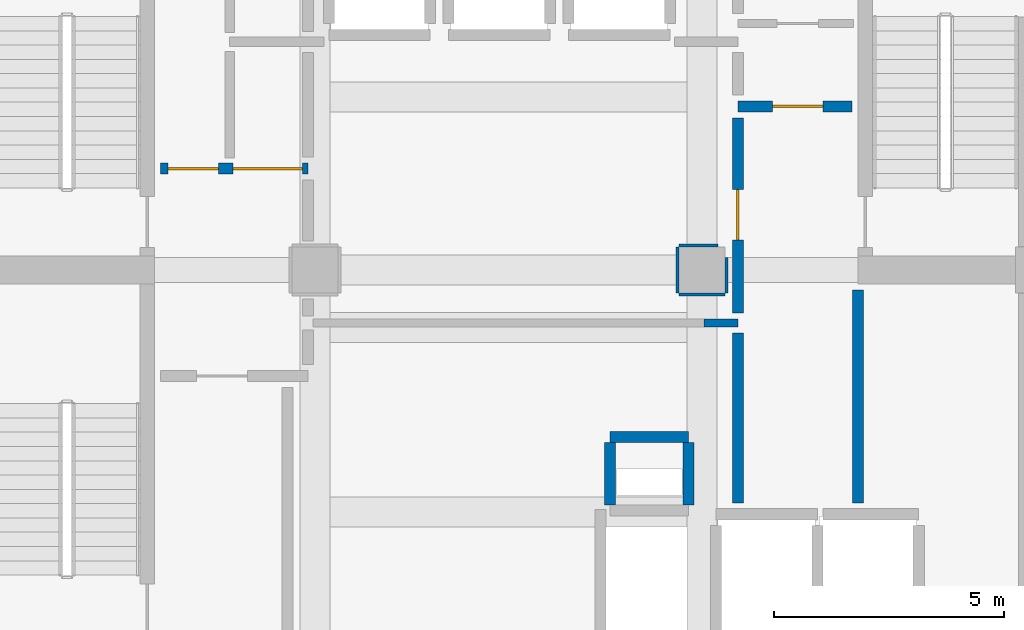
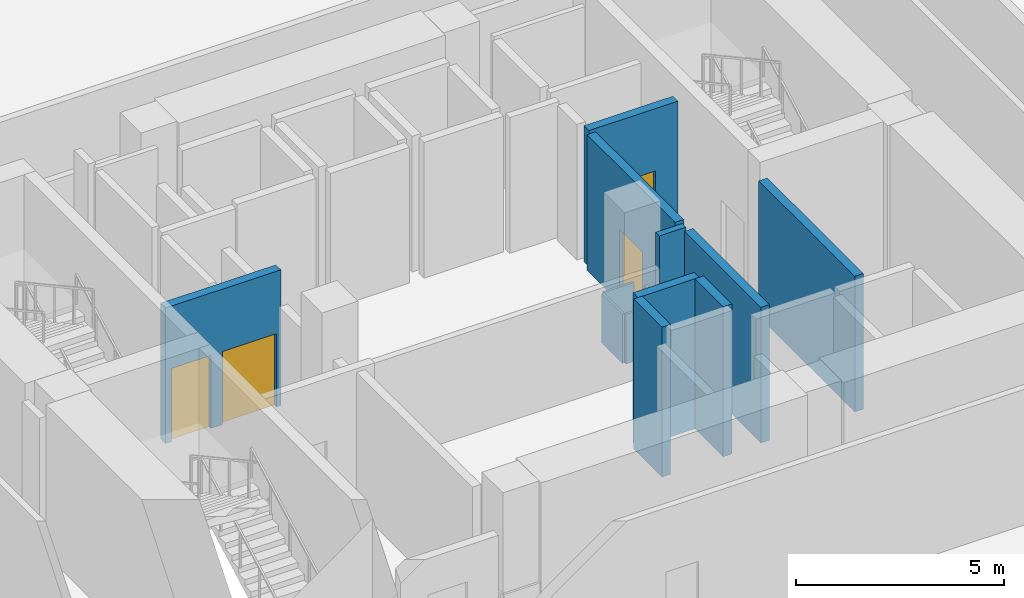
# One storey, part 8 of 22: 13 walls, 4 doors, 4 openings.
"""IFC4 building model written with IfcOpenShell, lengths in metres."""

from ifc_helpers import new_model, si_unit, direction, frame, frame_2d, origin, place, context, subcontext, project, spatial, rectangle, extrude, material, layer, layer_set, type_object, element, fill, save


model = new_model("IFC4")

# Units and contexts
model_context = context("Model", 3, precision=1e-05, world=origin(), true_north=direction((0.0, 1.0)))
body_context = subcontext(model_context, "Body", "Model", "MODEL_VIEW")
ifc_project = project(units=[si_unit("LENGTHUNIT", "METRE"), si_unit("AREAUNIT", "SQUARE_METRE"), si_unit("VOLUMEUNIT", "CUBIC_METRE"), si_unit("PLANEANGLEUNIT", "RADIAN"), si_unit("MASSUNIT", "GRAM", prefix="KILO")], contexts=[model_context])

# Site, building, storey
site_placement = place(None, origin())
site = spatial("IfcSite", under=ifc_project, at=site_placement, CompositionType="ELEMENT")
building_placement = place(site_placement, origin())
building = spatial("IfcBuilding", under=site, at=building_placement, Name="Solanera Arch Residences", CompositionType="ELEMENT")
storey_placement = place(building_placement, frame((0.0, 0.0, -4.39990234375)))
storey = spatial("IfcBuildingStorey", under=building, at=storey_placement, Name="B01", CompositionType="ELEMENT", Elevation=-4.39990234375)

# Walls
ifc_material_1 = material(Name="Fire-Rated Gypsum Stud Partition", Category="gypsum")
ifc_layer_1 = layer(ifc_material_1, 0.06005859375)
ifc_layer_set_1 = layer_set([ifc_layer_1], Name="Fire-Rated Gypsum Stud Partition")
wall_type_1 = type_object("IfcWallType", Name="Column Acoustic Furring Wall 60", PredefinedType="PARTITIONING", material=ifc_layer_set_1)
wall_1_placement = place(storey_placement, frame((28.699951171875, 30.16796875, 0.0), z_axis=(0.0, 0.0, 1.0), x_axis=(1.0, 0.0, 0.0)))
element("IfcWall", 1, at=wall_1_placement, inside=storey, type_object=wall_type_1, Name="B01 Column Furring 8S", PredefinedType="PARTITIONING", context=body_context, shape_type="SweptSolid", body=[
    extrude(rectangle(XDim=1.0, YDim=0.06005859375, at=frame_2d((0.5, 0.0))), origin(), (0.0, 0.0, 1.0), 1.449951171875),
])
wall_2_placement = place(storey_placement, frame((28.699951171875, 31.23193359375, 0.0), z_axis=(0.0, 0.0, 1.0), x_axis=(1.0, 0.0, 0.0)))
element("IfcWall", 2, at=wall_2_placement, inside=storey, type_object=wall_type_1, Name="B01 Column Furring 8N", PredefinedType="PARTITIONING", context=body_context, shape_type="SweptSolid", body=[
    extrude(rectangle(XDim=0.841064453125, YDim=0.06005859375, at=frame_2d((0.42041015625, 0.0))), origin(), (0.0, 0.0, 1.0), 1.449951171875),
])
wall_3_placement = place(storey_placement, frame((28.66796875, 30.199951171875, 0.0), z_axis=(0.0, 0.0, 1.0), x_axis=(0.0, 1.0, 0.0)))
element("IfcWall", 3, at=wall_3_placement, inside=storey, type_object=wall_type_1, Name="B01 Column Furring 8W", PredefinedType="PARTITIONING", context=body_context, shape_type="SweptSolid", body=[
    extrude(rectangle(XDim=1.0, YDim=0.06005859375, at=frame_2d((0.5, 0.0))), origin(), (0.0, 0.0, 1.0), 1.449951171875),
])
wall_4_placement = place(storey_placement, frame((29.73193359375, 30.199951171875, 0.0), z_axis=(0.0, 0.0, 1.0), x_axis=(0.0, 1.0, 0.0)))
element("IfcWall", 4, at=wall_4_placement, inside=storey, type_object=wall_type_1, Name="B01 Column Furring 8E", PredefinedType="PARTITIONING", context=body_context, shape_type="SweptSolid", body=[
    extrude(rectangle(XDim=0.77197265625, YDim=0.06005859375, at=frame_2d((0.385986328125, 0.0))), origin(), (0.0, 0.0, 1.0), 1.449951171875),
])
ifc_material_2 = material(Name="Autoclaved Aerated Concrete Blockwork", Category="masonry")
ifc_layer_2 = layer(ifc_material_2, 0.179931640625)
ifc_layer_set_2 = layer_set([ifc_layer_2], Name="Autoclaved Aerated Concrete Blockwork")
wall_type_2 = type_object("IfcWallType", Name="Corridor Fire Partition 180", PredefinedType="PARTITIONING", material=ifc_layer_set_2)
wall_5_placement = place(storey_placement, frame((29.239990234375, 29.550048828125, 0.0), z_axis=(0.0, 0.0, 1.0), x_axis=(1.0, 0.0, 0.0)))
element("IfcWall", 5, at=wall_5_placement, inside=storey, type_object=wall_type_2, Name="B01 Interior Partition H13 2", PredefinedType="PARTITIONING", context=body_context, shape_type="SweptSolid", body=[
    extrude(rectangle(XDim=0.735107421875, YDim=0.179931640625, at=frame_2d((0.36767578125, 0.0))), origin(), (0.0, 0.0, 1.0), 3.97998046875),
])
ifc_material_3 = material(Name="Concrete C40/50 (f'c = 45 MPa)", Category="concrete")
ifc_layer_3 = layer(ifc_material_3, 0.239990234375)
ifc_layer_set_3 = layer_set([ifc_layer_3], Name="Concrete C40/50 (f'c = 45 MPa)")
wall_type_3 = type_object("IfcWallType", Name="Ramp Bearing Shear Wall RW-240", PredefinedType="SHEAR", material=ifc_layer_set_3)
wall_6_placement = place(storey_placement, frame((27.199951171875, 27.080078125, 0.0), z_axis=(0.0, 0.0, 1.0), x_axis=(1.0, 0.0, 0.0)))
element("IfcWall", 6, at=wall_6_placement, inside=storey, type_object=wall_type_3, Name="B01 Core MEP Riser North Shaft Wall", PredefinedType="SHEAR", context=body_context, shape_type="SweptSolid", body=[
    extrude(rectangle(XDim=1.699951171875, YDim=0.239990234375, at=frame_2d((0.85009765625, 0.0))), origin(), (0.0, 0.0, 1.0), 4.39990234375),
])
for number, where, z_axis, x_axis, name in (
    (7, (27.199951171875, 25.60009765625, 0.0), (0.0, 0.0, 1.0), (0.0, 1.0, 0.0), "B01 Core MEP Riser West Shaft Wall"),
    (8, (28.89990234375, 25.60009765625, 0.0), (0.0, 0.0, 1.0), (0.0, 1.0, 0.0), "B01 Core MEP Riser East Shaft Wall"),
):
    element("IfcWall", number, at=place(storey_placement, frame(where, z_axis=z_axis, x_axis=x_axis)), inside=storey, type_object=wall_type_3, Name=name, PredefinedType="SHEAR", context=body_context, shape_type="SweptSolid", body=[
        extrude(rectangle(XDim=1.35986328125, YDim=0.239990234375, at=frame_2d((0.679931640625, 0.0))), origin(), (0.0, 0.0, 1.0), 4.39990234375),
    ])

# Wall, openings, doors
ifc_material_4 = material(Name="Autoclaved Aerated Concrete Blockwork", Category="masonry")
ifc_layer_4 = layer(ifc_material_4, 0.239990234375)
ifc_layer_set_4 = layer_set([ifc_layer_4], Name="Autoclaved Aerated Concrete Blockwork")
wall_type_4 = type_object("IfcWallType", Name="Shaft Wall Fire-Rated 240", PredefinedType="PARTITIONING", material=ifc_layer_set_4)
wall_7_placement = place(storey_placement, frame((17.449951171875, 32.89990234375, 0.0), z_axis=(0.0, 0.0, 1.0), x_axis=(1.0, 0.0, 0.0)))
wall_7 = element("IfcWall", 9, at=wall_7_placement, inside=storey, type_object=wall_type_4, Name="B01 Interior Partition H5", PredefinedType="PARTITIONING", context=body_context, shape_type="SweptSolid", body=[
    extrude(rectangle(XDim=3.199951171875, YDim=0.239990234375, at=frame_2d((1.60009765625, 0.0))), origin(), (0.0, 0.0, 1.0), 3.97998046875),
])
opening_1_placement = place(wall_7_placement, frame((0.158935546875, 0.0, 0.0)))
opening_1 = element("IfcOpeningElement", 10, at=opening_1_placement, cuts=wall_7, Name="Opening DF-02", PredefinedType="OPENING", context=body_context, shape_type="SweptSolid", body=[
    extrude(rectangle(XDim=1.10009765625, YDim=2.14990234375, at=frame_2d((0.550048828125, 1.074951171875))), frame((0.0, 0.1298828125, 0.0), z_axis=(0.0, -1.0, 0.0), x_axis=(1.0, 0.0, 0.0)), (0.0, 0.0, 1.0), 0.26),
])
opening_2_placement = place(wall_7_placement, frame((1.575927734375, 0.0, 0.0)))
opening_2 = element("IfcOpeningElement", 11, at=opening_2_placement, cuts=wall_7, Name="Opening DP-01", PredefinedType="OPENING", context=body_context, shape_type="SweptSolid", body=[
    extrude(rectangle(XDim=1.5, YDim=2.14990234375, at=frame_2d((0.75, 1.074951171875))), frame((0.0, 0.1298828125, 0.0), z_axis=(0.0, -1.0, 0.0), x_axis=(1.0, 0.0, 0.0)), (0.0, 0.0, 1.0), 0.26),
])
ifc_material_5 = material(Name="Fire-Rated Architectural Hardwood", Category="wood")
door_type_1 = type_object("IfcDoorType", Name="Firefighting Lobby Fire Door DF-02", OperationType="NOTDEFINED", PredefinedType="DOOR", material=ifc_material_5)
door_1_placement = place(opening_1_placement, origin())
door_1 = element("IfcDoor", 12, at=door_1_placement, inside=storey, type_object=door_type_1, Name="DR-B01-IN-010", OperationType="SINGLE_SWING_LEFT", OverallHeight=2.14990234375, OverallWidth=1.10009765625, PredefinedType="DOOR", context=body_context, shape_type="SweptSolid", body=[
    extrude(rectangle(XDim=1.10009765625, YDim=2.14990234375, at=frame_2d((0.550048828125, 1.074951171875))), frame((0.0, 0.02490234375, 0.0), z_axis=(0.0, -1.0, 0.0), x_axis=(1.0, 0.0, 0.0)), (0.0, 0.0, 1.0), 0.050048828125),
])
fill(opening_1, door_1)
ifc_material_6 = material(Name="Fire-Rated Architectural Hardwood", Category="wood")
door_type_2 = type_object("IfcDoorType", Name="Plant Double Fire Door DP-01", OperationType="NOTDEFINED", PredefinedType="DOOR", material=ifc_material_6)
door_2_placement = place(opening_2_placement, origin())
door_2 = element("IfcDoor", 13, at=door_2_placement, inside=storey, type_object=door_type_2, Name="DR-B01-IN-021", OperationType="SINGLE_SWING_RIGHT", OverallHeight=2.14990234375, OverallWidth=1.5, PredefinedType="DOOR", context=body_context, shape_type="SweptSolid", body=[
    extrude(rectangle(XDim=1.5, YDim=2.14990234375, at=frame_2d((0.75, 1.074951171875))), frame((0.0, 0.02490234375, 0.0), z_axis=(0.0, -1.0, 0.0), x_axis=(1.0, 0.0, 0.0)), (0.0, 0.0, 1.0), 0.050048828125),
])
fill(opening_2, door_2)

# Wall, opening, door
wall_8_placement = place(storey_placement, frame((29.97509765625, 34.25, 0.0), z_axis=(0.0, 0.0, 1.0), x_axis=(1.0, 0.0, 0.0)))
wall_8 = element("IfcWall", 14, at=wall_8_placement, inside=storey, type_object=wall_type_4, Name="B01 Interior Partition H6", PredefinedType="PARTITIONING", context=body_context, shape_type="SweptSolid", body=[
    extrude(rectangle(XDim=2.474853515625, YDim=0.239990234375, at=frame_2d((1.2373046875, 0.0))), origin(), (0.0, 0.0, 1.0), 3.97998046875),
])
opening_3_placement = place(wall_8_placement, frame((0.751953125, 0.0, 0.0)))
opening_3 = element("IfcOpeningElement", 15, at=opening_3_placement, cuts=wall_8, Name="Opening DF-02", PredefinedType="OPENING", context=body_context, shape_type="SweptSolid", body=[
    extrude(rectangle(XDim=1.10009765625, YDim=2.14990234375, at=frame_2d((0.550048828125, 1.074951171875))), frame((0.0, 0.1298828125, 0.0), z_axis=(0.0, -1.0, 0.0), x_axis=(1.0, 0.0, 0.0)), (0.0, 0.0, 1.0), 0.26),
])
door_3_placement = place(opening_3_placement, origin())
door_3 = element("IfcDoor", 16, at=door_3_placement, inside=storey, type_object=door_type_1, Name="DR-B01-IN-012", OperationType="SINGLE_SWING_LEFT", OverallHeight=2.14990234375, OverallWidth=1.10009765625, PredefinedType="DOOR", context=body_context, shape_type="SweptSolid", body=[
    extrude(rectangle(XDim=1.10009765625, YDim=2.14990234375, at=frame_2d((0.550048828125, 1.074951171875))), frame((0.0, 0.02490234375, 0.0), z_axis=(0.0, -1.0, 0.0), x_axis=(1.0, 0.0, 0.0)), (0.0, 0.0, 1.0), 0.050048828125),
])
fill(opening_3, door_3)

# Wall
wall_9_placement = place(storey_placement, frame((29.97509765625, 25.64794921875, 0.0), z_axis=(0.0, 0.0, 1.0), x_axis=(0.0, 1.0, 0.0)))
element("IfcWall", 17, at=wall_9_placement, inside=storey, type_object=wall_type_4, Name="B01 Interior Partition V4 1", PredefinedType="PARTITIONING", context=body_context, shape_type="SweptSolid", body=[
    extrude(rectangle(XDim=3.68408203125, YDim=0.239990234375, at=frame_2d((1.842041015625, 0.0))), origin(), (0.0, 0.0, 1.0), 3.97998046875),
])

# Wall, opening, door
wall_10_placement = place(storey_placement, frame((29.97509765625, 29.76806640625, 0.0), z_axis=(0.0, 0.0, 1.0), x_axis=(0.0, 1.0, 0.0)))
wall_10 = element("IfcWall", 18, at=wall_10_placement, inside=storey, type_object=wall_type_4, Name="B01 Interior Partition V4 2", PredefinedType="PARTITIONING", context=body_context, shape_type="SweptSolid", body=[
    extrude(rectangle(XDim=4.23388671875, YDim=0.239990234375, at=frame_2d((2.116943359375, 0.0))), origin(), (0.0, 0.0, 1.0), 3.97998046875),
])
opening_4_placement = place(wall_10_placement, frame((1.58203125, 0.0, 0.0)))
opening_4 = element("IfcOpeningElement", 19, at=opening_4_placement, cuts=wall_10, Name="Opening DF-02", PredefinedType="OPENING", context=body_context, shape_type="SweptSolid", body=[
    extrude(rectangle(XDim=1.10009765625, YDim=2.14990234375, at=frame_2d((0.550048828125, 1.074951171875))), frame((0.0, 0.1298828125, 0.0), z_axis=(0.0, -1.0, 0.0), x_axis=(1.0, 0.0, 0.0)), (0.0, 0.0, 1.0), 0.26),
])
door_4_placement = place(opening_4_placement, origin())
door_4 = element("IfcDoor", 20, at=door_4_placement, inside=storey, type_object=door_type_1, Name="DR-B01-IN-011", OperationType="SINGLE_SWING_RIGHT", OverallHeight=2.14990234375, OverallWidth=1.10009765625, PredefinedType="DOOR", context=body_context, shape_type="SweptSolid", body=[
    extrude(rectangle(XDim=1.10009765625, YDim=2.14990234375, at=frame_2d((0.550048828125, 1.074951171875))), frame((0.0, 0.02490234375, 0.0), z_axis=(0.0, -1.0, 0.0), x_axis=(1.0, 0.0, 0.0)), (0.0, 0.0, 1.0), 0.050048828125),
])
fill(opening_4, door_4)

# Wall
wall_11_placement = place(storey_placement, frame((32.580078125, 25.64794921875, 0.0), z_axis=(0.0, 0.0, 1.0), x_axis=(0.0, 1.0, 0.0)))
element("IfcWall", 21, at=wall_11_placement, inside=storey, type_object=wall_type_4, Name="B01 Interior Partition V5", PredefinedType="PARTITIONING", context=body_context, shape_type="SweptSolid", body=[
    extrude(rectangle(XDim=4.6220703125, YDim=0.239990234375, at=frame_2d((2.31103515625, 0.0))), origin(), (0.0, 0.0, 1.0), 3.97998046875),
])

save(model, "model.ifc")
